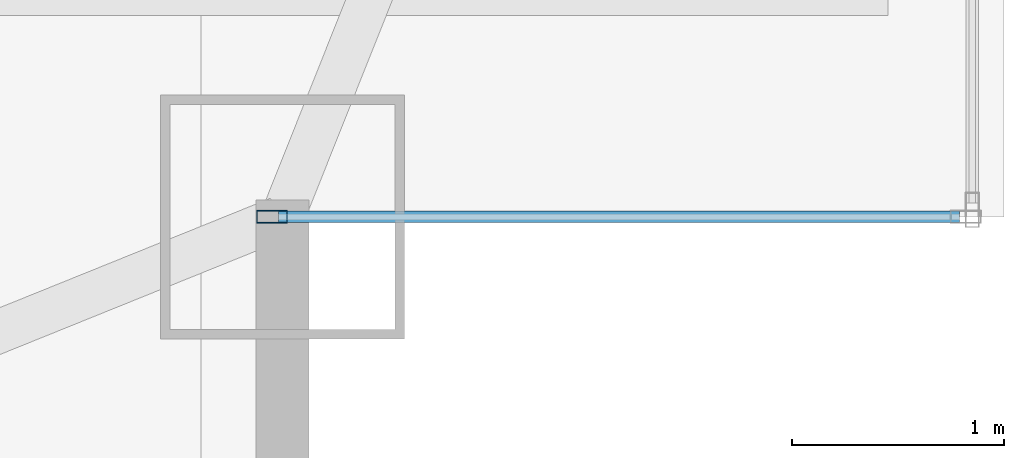
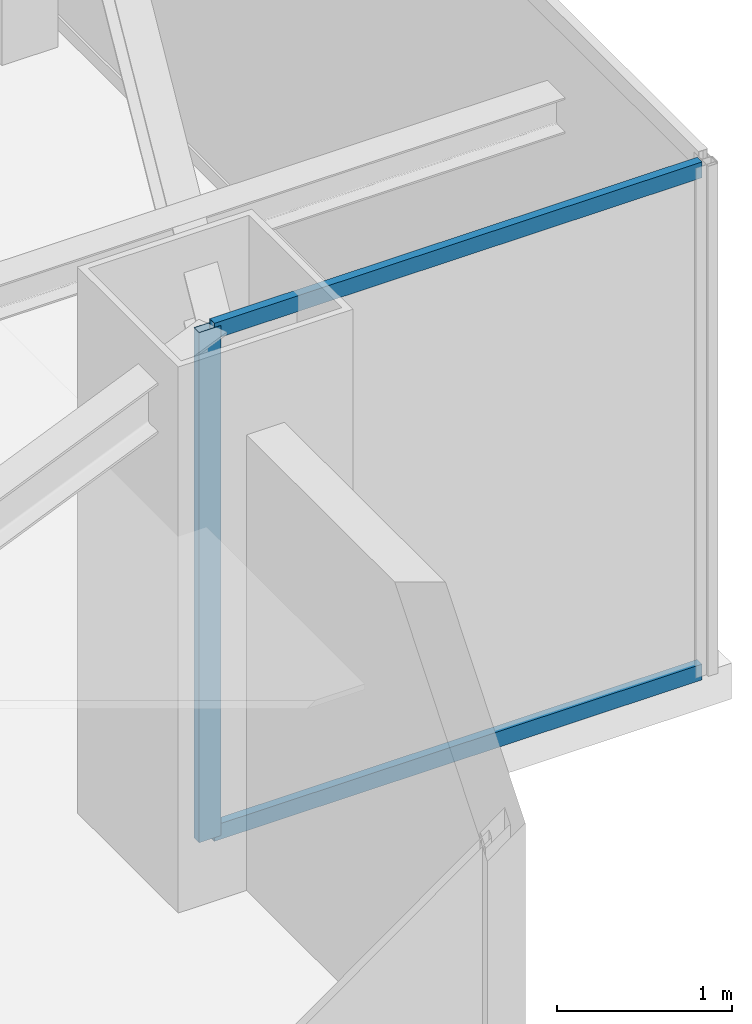
# One storey, part 15 of 30: 3 members, 1 element without a shape of its own.
"""IFC4 building model written with IfcOpenShell, lengths in metres."""

from ifc_helpers import new_model, si_unit, direction, frame, origin, origin_2d, place, context, subcontext, project, spatial, hollow_rectangle, extrude, source, transform, mapped, material, layer, layer_set, material_profile, profile_set, type_object, type_shapes, element, aggregate, save


model = new_model("IFC4")

# Units and contexts
model_context = context("Model", 3, precision=1e-05, world=origin(), true_north=direction((0.0, 1.0)))
body_context = subcontext(model_context, "Body", "Model", "MODEL_VIEW")
ifc_project = project(units=[si_unit("LENGTHUNIT", "METRE"), si_unit("AREAUNIT", "SQUARE_METRE"), si_unit("VOLUMEUNIT", "CUBIC_METRE"), si_unit("PLANEANGLEUNIT", "RADIAN"), si_unit("MASSUNIT", "GRAM", prefix="KILO")], contexts=[model_context])

# Site, building, storey
site_placement = place(None, origin())
site = spatial("IfcSite", under=ifc_project, at=site_placement, CompositionType="ELEMENT")
building_placement = place(site_placement, origin())
building = spatial("IfcBuilding", under=site, at=building_placement, Name="Varnel Quay Broadcast Tower", CompositionType="ELEMENT")
storey_placement = place(building_placement, frame((0.0, 0.0, 222.60009765625)))
storey = spatial("IfcBuildingStorey", under=building, at=storey_placement, Name="L55", CompositionType="ELEMENT", Elevation=222.60009765625)

# Curtain wall, members
ifc_material = material(Name="Anodised Bronze Aluminium 6063-T6", Category="aluminium")
ifc_layer = layer(ifc_material, 0.18994140625, Name="Anodised Bronze Aluminium 6063-T6")
ifc_layer_set = layer_set([ifc_layer], Name="Anodised Bronze Aluminium 6063-T6")
curtain_wall_type = type_object("IfcCurtainWallType", Name="CW_NotchCorner", PredefinedType="NOTDEFINED", material=ifc_layer_set)
curtain_wall_placement = place(storey_placement, origin())
curtain_wall = element("IfcCurtainWall", 1, at=curtain_wall_placement, inside=storey, type_object=curtain_wall_type, Name="L55 SE Notch Curtain Wall", PredefinedType="NOTDEFINED")
ifc_material_profile_1 = material_profile(ifc_material, hollow_rectangle(XDim=0.06005859375, YDim=0.14501953125, WallThickness=0.00341796875, at=origin_2d()), Name="ALU60X145X3.5")
ifc_profile_set_1 = profile_set([ifc_material_profile_1], Name="Anodised Bronze Aluminium 6063-T6")
member_type_1 = type_object("IfcMemberType", Name="Mull_CWS-04", PredefinedType="MULLION", material=ifc_profile_set_1)
shared_shape_1 = source(origin(), body_context, "Body", "SweptSolid", [
    extrude(hollow_rectangle(XDim=0.06005859375, YDim=0.14501953125, WallThickness=0.00341796875, at=origin_2d()), origin(), (0.0, 0.0, 1.0), 3.5498046875),
])
type_shapes(member_type_1, [shared_shape_1])
member_1_placement = place(storey_placement, frame((55.050048828125, 13.60009765625, 0.0), z_axis=(0.0, 0.0, 1.0), x_axis=(0.0, 1.0, 0.0)))
member_1 = element("IfcMember", 2, at=member_1_placement, type_object=member_type_1, Name="CWS-04 mullion 1", PredefinedType="MULLION", context=body_context, shape_type="MappedRepresentation", body=[
    mapped(shared_shape_1, transform((0.0, 0.0, 0.0), x_axis=(1.0, 0.0, 0.0), y_axis=(0.0, 1.0, 0.0), z_axis=(0.0, 0.0, 1.0), scale=1.0)),
])
ifc_material_profile_2 = material_profile(ifc_material, hollow_rectangle(XDim=0.054931640625, YDim=0.110107421875, WallThickness=0.0029296875, at=origin_2d()), Name="ALU55X110X3")
ifc_profile_set_2 = profile_set([ifc_material_profile_2], Name="Anodised Bronze Aluminium 6063-T6")
member_type_2 = type_object("IfcMemberType", Name="Tran_CWS-04", PredefinedType="USERDEFINED", material=ifc_profile_set_2)
shared_shape_2 = source(origin(), body_context, "Body", "SweptSolid", [
    extrude(hollow_rectangle(XDim=0.054931640625, YDim=0.110107421875, WallThickness=0.0029296875, at=origin_2d()), origin(), (0.0, 0.0, 1.0), 3.2099609375),
])
type_shapes(member_type_2, [shared_shape_2])
member_2_placement = place(storey_placement, frame((55.080078125, 13.60009765625, 0.02734375), z_axis=(1.0, 0.0, 0.0), x_axis=(0.0, 1.0, 0.0)))
member_2 = element("IfcMember", 3, at=member_2_placement, type_object=member_type_2, Name="CWS-04 transom 1.1", ObjectType="TRANSOM", PredefinedType="USERDEFINED", context=body_context, shape_type="MappedRepresentation", body=[
    mapped(shared_shape_2, transform((0.0, 0.0, 0.0), x_axis=(1.0, 0.0, 0.0), y_axis=(0.0, 1.0, 0.0), z_axis=(0.0, 0.0, 1.0), scale=1.0)),
])
member_3_placement = place(storey_placement, frame((55.080078125, 13.60009765625, 3.5224609375), z_axis=(1.0, 0.0, 0.0), x_axis=(0.0, 1.0, 0.0)))
member_3 = element("IfcMember", 4, at=member_3_placement, type_object=member_type_2, Name="CWS-04 transom 1.2", ObjectType="TRANSOM", PredefinedType="USERDEFINED", context=body_context, shape_type="MappedRepresentation", body=[
    mapped(shared_shape_2, transform((0.0, 0.0, 0.0), x_axis=(1.0, 0.0, 0.0), y_axis=(0.0, 1.0, 0.0), z_axis=(0.0, 0.0, 1.0), scale=1.0)),
])
aggregate(curtain_wall, [member_1, member_2, member_3])

save(model, "model.ifc")
